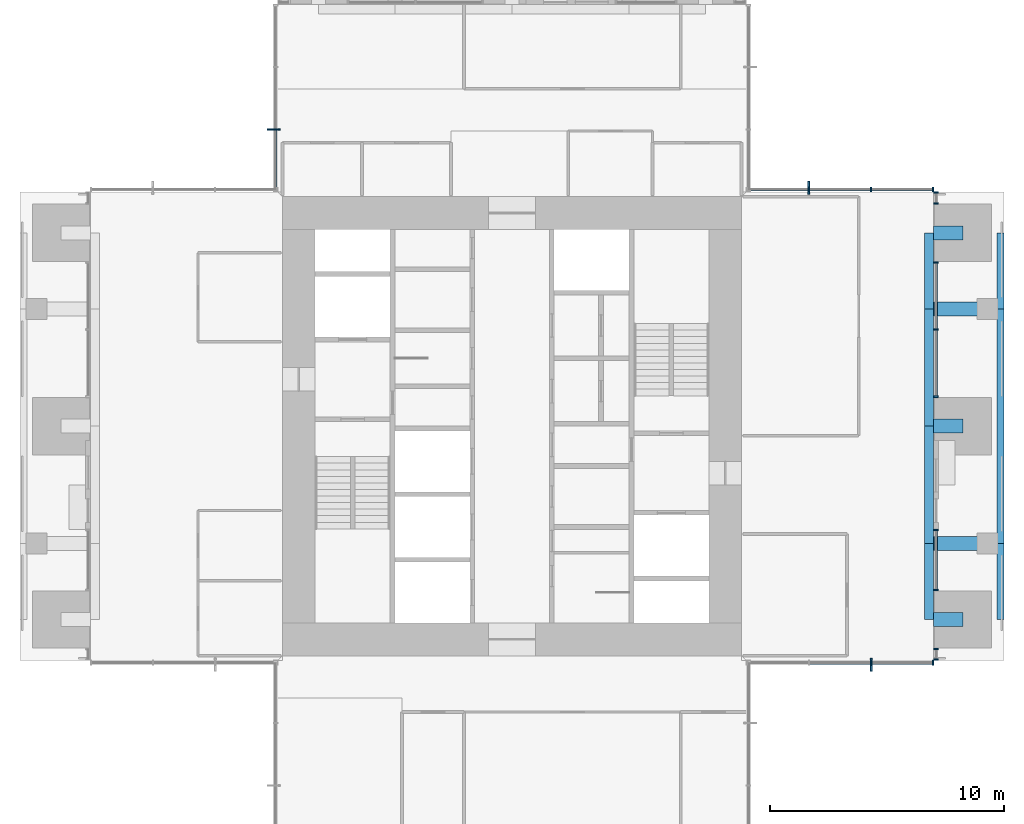
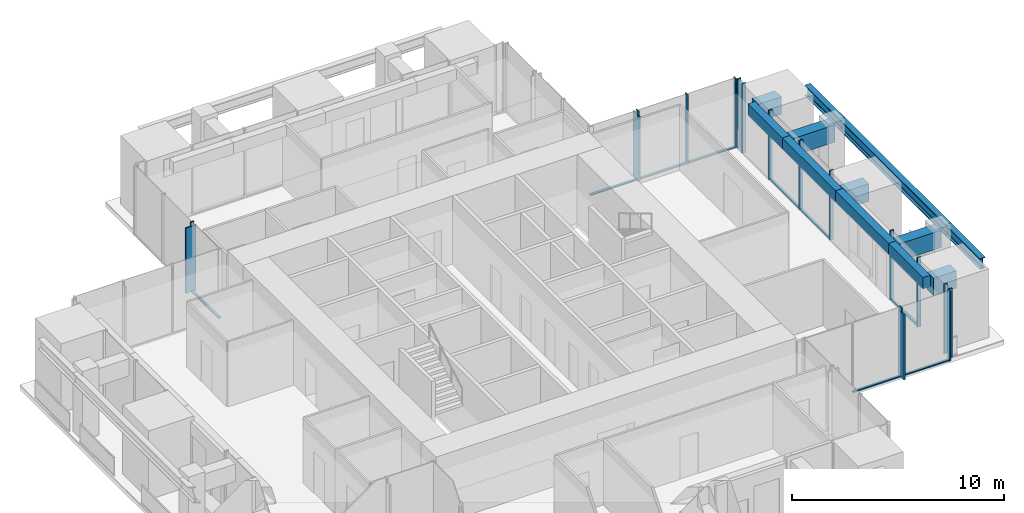
# One storey, part 4 of 17: 27 members, 12 beams, 7 elements without a shape of their own.
"""IFC4 building model written with IfcOpenShell, lengths in metres."""

from ifc_helpers import new_model, si_unit, direction, frame, origin, origin_2d, place, context, subcontext, project, spatial, rectangle, i_section, extrude, material, material_profile, profile_set, type_object, element, aggregate, save


model = new_model("IFC4")

# Units and contexts
model_context = context("Model", 3, precision=1e-05, world=origin(), true_north=direction((0.0, 1.0)))
body_context = subcontext(model_context, "Body", "Model", "MODEL_VIEW")
ifc_project = project(units=[si_unit("LENGTHUNIT", "METRE"), si_unit("AREAUNIT", "SQUARE_METRE"), si_unit("VOLUMEUNIT", "CUBIC_METRE"), si_unit("PLANEANGLEUNIT", "RADIAN"), si_unit("MASSUNIT", "GRAM", prefix="KILO")], contexts=[model_context])

# Site, building, storey
site_placement = place(None, origin())
site = spatial("IfcSite", under=ifc_project, at=site_placement, CompositionType="ELEMENT")
building_placement = place(site_placement, origin())
building = spatial("IfcBuilding", under=site, at=building_placement, Name="Svetlomir Tower", CompositionType="ELEMENT")
storey_placement = place(building_placement, frame((0.0, 0.0, 218.5)))
storey = spatial("IfcBuildingStorey", under=building, at=storey_placement, Name="L52", CompositionType="ELEMENT", Elevation=218.5)

# Curtain wall, member
ifc_material_1 = material(Name="Bronze anodised aluminium curtain wall", Category="aluminium")
curtain_wall_type = type_object("IfcCurtainWallType", Name="CURTAIN WALL CW1 TOWER OFFICE", PredefinedType="NOTDEFINED", material=ifc_material_1)
curtain_wall_1_placement = place(storey_placement, origin())
curtain_wall_1 = element("IfcCurtainWall", 1, at=curtain_wall_1_placement, inside=storey, type_object=curtain_wall_type, Name="Curtain wall CW1 L52", PredefinedType="NOTDEFINED")
ifc_material_2 = material(Name="Bronze anodised aluminium", Category="aluminium")
ifc_material_profile_1 = material_profile(ifc_material_2, rectangle(XDim=0.080078125, YDim=0.550048828125, at=origin_2d()), Name="FIN 80x550")
ifc_profile_set_1 = profile_set([ifc_material_profile_1], Name="Bronze anodised aluminium 6063-T6")
member_type_1 = type_object("IfcMemberType", Name="BRONZE FIN 80x550", PredefinedType="USERDEFINED", material=ifc_profile_set_1)
member_1_placement = place(storey_placement, frame((36.333251953125, 10.824951171875, 0.0), z_axis=(0.0, 0.0, 1.0), x_axis=(1.0, 0.0, 0.0)))
member_1 = element("IfcMember", 2, at=member_1_placement, type_object=member_type_1, Name="Bronze fin L52", ObjectType="FIN", PredefinedType="USERDEFINED", context=body_context, shape_type="SweptSolid", body=[
    extrude(rectangle(XDim=0.080078125, YDim=0.550048828125, at=origin_2d()), origin(), (0.0, 0.0, 1.0), 3.75),
])

curtain_wall_2_placement = place(storey_placement, origin())
curtain_wall_2 = element("IfcCurtainWall", 3, at=curtain_wall_2_placement, inside=storey, type_object=curtain_wall_type, Name="Curtain wall CW1 L52", PredefinedType="NOTDEFINED")
member_2_placement = place(storey_placement, frame((33.666748046875, 31.175048828125, 0.0), z_axis=(0.0, 0.0, 1.0), x_axis=(1.0, 0.0, 0.0)))
member_2 = element("IfcMember", 4, at=member_2_placement, type_object=member_type_1, Name="Bronze fin L52", ObjectType="FIN", PredefinedType="USERDEFINED", context=body_context, shape_type="SweptSolid", body=[
    extrude(rectangle(XDim=0.080078125, YDim=0.550048828125, at=origin_2d()), origin(), (0.0, 0.0, 1.0), 3.75),
])

curtain_wall_3_placement = place(storey_placement, origin())
curtain_wall_3 = element("IfcCurtainWall", 5, at=curtain_wall_3_placement, inside=storey, type_object=curtain_wall_type, Name="Curtain wall CW1 L52", PredefinedType="NOTDEFINED")
member_3_placement = place(storey_placement, frame((10.824951171875, 33.666748046875, 0.0), z_axis=(0.0, 0.0, 1.0), x_axis=(0.0, 1.0, 0.0)))
member_3 = element("IfcMember", 6, at=member_3_placement, type_object=member_type_1, Name="Bronze fin L52", ObjectType="FIN", PredefinedType="USERDEFINED", context=body_context, shape_type="SweptSolid", body=[
    extrude(rectangle(XDim=0.080078125, YDim=0.550048828125, at=origin_2d()), origin(), (0.0, 0.0, 1.0), 3.75),
])

# Member
ifc_material_3 = material(Name="Bronze anodised aluminium", Category="aluminium")
ifc_material_profile_2 = material_profile(ifc_material_3, rectangle(XDim=0.06494140625, YDim=0.199951171875, at=origin_2d()), Name="AL 65x200")
ifc_profile_set_2 = profile_set([ifc_material_profile_2], Name="Bronze anodised aluminium 6063-T6")
member_type_2 = type_object("IfcMemberType", Name="CW1 MULLION 65x200", PredefinedType="MULLION", material=ifc_profile_set_2)
member_4_placement = place(storey_placement, frame((36.333251953125, 10.89990234375, 0.0), z_axis=(0.0, 0.0, 1.0), x_axis=(1.0, 0.0, 0.0)))
member_4 = element("IfcMember", 7, at=member_4_placement, type_object=member_type_2, Name="CW1 mullion 3", PredefinedType="MULLION", context=body_context, shape_type="SweptSolid", body=[
    extrude(rectangle(XDim=0.06494140625, YDim=0.199951171875, at=origin_2d()), origin(), (0.0, 0.0, 1.0), 4.0),
])

member_5_placement = place(storey_placement, frame((38.967529296875, 10.89990234375, 0.0), z_axis=(0.0, 0.0, 1.0), x_axis=(1.0, 0.0, 0.0)))
member_5 = element("IfcMember", 8, at=member_5_placement, type_object=member_type_2, Name="CW1 mullion 4", PredefinedType="MULLION", context=body_context, shape_type="SweptSolid", body=[
    extrude(rectangle(XDim=0.06494140625, YDim=0.199951171875, at=origin_2d()), origin(), (0.0, 0.0, 1.0), 4.0),
])

# Curtain wall, members
curtain_wall_4_placement = place(storey_placement, origin())
curtain_wall_4 = element("IfcCurtainWall", 9, at=curtain_wall_4_placement, inside=storey, type_object=curtain_wall_type, Name="Curtain wall CW1 L52", PredefinedType="NOTDEFINED")
member_6_placement = place(storey_placement, frame((39.10009765625, 11.032470703125, 0.0), z_axis=(0.0, 0.0, 1.0), x_axis=(0.0, 1.0, 0.0)))
member_6 = element("IfcMember", 10, at=member_6_placement, type_object=member_type_2, Name="CW1 mullion 1", PredefinedType="MULLION", context=body_context, shape_type="SweptSolid", body=[
    extrude(rectangle(XDim=0.06494140625, YDim=0.199951171875, at=origin_2d()), origin(), (0.0, 0.0, 1.0), 4.0),
])
member_7_placement = place(storey_placement, frame((39.10009765625, 11.492431640625, 0.0), z_axis=(0.0, 0.0, 1.0), x_axis=(0.0, 1.0, 0.0)))
member_7 = element("IfcMember", 11, at=member_7_placement, type_object=member_type_2, Name="CW1 mullion 2", PredefinedType="MULLION", context=body_context, shape_type="SweptSolid", body=[
    extrude(rectangle(XDim=0.06494140625, YDim=0.199951171875, at=origin_2d()), origin(), (0.0, 0.0, 1.0), 4.0),
])
aggregate(curtain_wall_4, [member_6, member_7])

curtain_wall_5_placement = place(storey_placement, origin())
curtain_wall_5 = element("IfcCurtainWall", 12, at=curtain_wall_5_placement, inside=storey, type_object=curtain_wall_type, Name="Curtain wall CW1 L52", PredefinedType="NOTDEFINED")
member_8_placement = place(storey_placement, frame((39.10009765625, 14.007568359375, 0.0), z_axis=(0.0, 0.0, 1.0), x_axis=(0.0, 1.0, 0.0)))
member_8 = element("IfcMember", 13, at=member_8_placement, type_object=member_type_2, Name="CW1 mullion 1", PredefinedType="MULLION", context=body_context, shape_type="SweptSolid", body=[
    extrude(rectangle(XDim=0.06494140625, YDim=0.199951171875, at=origin_2d()), origin(), (0.0, 0.0, 1.0), 4.0),
])
member_9_placement = place(storey_placement, frame((39.10009765625, 16.5673828125, 0.0), z_axis=(0.0, 0.0, 1.0), x_axis=(0.0, 1.0, 0.0)))
member_9 = element("IfcMember", 14, at=member_9_placement, type_object=member_type_2, Name="CW1 mullion 2", PredefinedType="MULLION", context=body_context, shape_type="SweptSolid", body=[
    extrude(rectangle(XDim=0.06494140625, YDim=0.199951171875, at=origin_2d()), origin(), (0.0, 0.0, 1.0), 4.0),
])

curtain_wall_6_placement = place(storey_placement, origin())
curtain_wall_6 = element("IfcCurtainWall", 15, at=curtain_wall_6_placement, inside=storey, type_object=curtain_wall_type, Name="Curtain wall CW1 L52", PredefinedType="NOTDEFINED")
member_10_placement = place(storey_placement, frame((39.10009765625, 22.257568359375, 0.0), z_axis=(0.0, 0.0, 1.0), x_axis=(0.0, 1.0, 0.0)))
member_10 = element("IfcMember", 16, at=member_10_placement, type_object=member_type_2, Name="CW1 mullion 1", PredefinedType="MULLION", context=body_context, shape_type="SweptSolid", body=[
    extrude(rectangle(XDim=0.06494140625, YDim=0.199951171875, at=origin_2d()), origin(), (0.0, 0.0, 1.0), 4.0),
])
member_11_placement = place(storey_placement, frame((39.10009765625, 25.125, 0.0), z_axis=(0.0, 0.0, 1.0), x_axis=(0.0, 1.0, 0.0)))
member_11 = element("IfcMember", 17, at=member_11_placement, type_object=member_type_2, Name="CW1 mullion 2", PredefinedType="MULLION", context=body_context, shape_type="SweptSolid", body=[
    extrude(rectangle(XDim=0.06494140625, YDim=0.199951171875, at=origin_2d()), origin(), (0.0, 0.0, 1.0), 4.0),
])
member_12_placement = place(storey_placement, frame((39.10009765625, 27.992431640625, 0.0), z_axis=(0.0, 0.0, 1.0), x_axis=(0.0, 1.0, 0.0)))
member_12 = element("IfcMember", 18, at=member_12_placement, type_object=member_type_2, Name="CW1 mullion 3", PredefinedType="MULLION", context=body_context, shape_type="SweptSolid", body=[
    extrude(rectangle(XDim=0.06494140625, YDim=0.199951171875, at=origin_2d()), origin(), (0.0, 0.0, 1.0), 4.0),
])

curtain_wall_7_placement = place(storey_placement, origin())
curtain_wall_7 = element("IfcCurtainWall", 19, at=curtain_wall_7_placement, inside=storey, type_object=curtain_wall_type, Name="Curtain wall CW1 L52", PredefinedType="NOTDEFINED")
member_13_placement = place(storey_placement, frame((39.10009765625, 30.507568359375, 0.0), z_axis=(0.0, 0.0, 1.0), x_axis=(0.0, 1.0, 0.0)))
member_13 = element("IfcMember", 20, at=member_13_placement, type_object=member_type_2, Name="CW1 mullion 1", PredefinedType="MULLION", context=body_context, shape_type="SweptSolid", body=[
    extrude(rectangle(XDim=0.06494140625, YDim=0.199951171875, at=origin_2d()), origin(), (0.0, 0.0, 1.0), 4.0),
])
member_14_placement = place(storey_placement, frame((39.10009765625, 30.967529296875, 0.0), z_axis=(0.0, 0.0, 1.0), x_axis=(0.0, 1.0, 0.0)))
member_14 = element("IfcMember", 21, at=member_14_placement, type_object=member_type_2, Name="CW1 mullion 2", PredefinedType="MULLION", context=body_context, shape_type="SweptSolid", body=[
    extrude(rectangle(XDim=0.06494140625, YDim=0.199951171875, at=origin_2d()), origin(), (0.0, 0.0, 1.0), 4.0),
])
aggregate(curtain_wall_7, [member_13, member_14])

# Member
member_15_placement = place(storey_placement, frame((38.967529296875, 31.10009765625, 0.0), z_axis=(0.0, 0.0, 1.0), x_axis=(-1.0, 0.0, 0.0)))
member_15 = element("IfcMember", 22, at=member_15_placement, type_object=member_type_2, Name="CW1 mullion 1", PredefinedType="MULLION", context=body_context, shape_type="SweptSolid", body=[
    extrude(rectangle(XDim=0.06494140625, YDim=0.199951171875, at=origin_2d()), origin(), (0.0, 0.0, 1.0), 4.0),
])

member_16_placement = place(storey_placement, frame((36.333251953125, 31.10009765625, 0.0), z_axis=(0.0, 0.0, 1.0), x_axis=(-1.0, 0.0, 0.0)))
member_16 = element("IfcMember", 23, at=member_16_placement, type_object=member_type_2, Name="CW1 mullion 2", PredefinedType="MULLION", context=body_context, shape_type="SweptSolid", body=[
    extrude(rectangle(XDim=0.06494140625, YDim=0.199951171875, at=origin_2d()), origin(), (0.0, 0.0, 1.0), 4.0),
])

member_17_placement = place(storey_placement, frame((33.666748046875, 31.10009765625, 0.0), z_axis=(0.0, 0.0, 1.0), x_axis=(-1.0, 0.0, 0.0)))
member_17 = element("IfcMember", 24, at=member_17_placement, type_object=member_type_2, Name="CW1 mullion 3", PredefinedType="MULLION", context=body_context, shape_type="SweptSolid", body=[
    extrude(rectangle(XDim=0.06494140625, YDim=0.199951171875, at=origin_2d()), origin(), (0.0, 0.0, 1.0), 4.0),
])

member_18_placement = place(storey_placement, frame((10.89990234375, 33.666748046875, 0.0), z_axis=(0.0, 0.0, 1.0), x_axis=(0.0, -1.0, 0.0)))
member_18 = element("IfcMember", 25, at=member_18_placement, type_object=member_type_2, Name="CW1 mullion 3", PredefinedType="MULLION", context=body_context, shape_type="SweptSolid", body=[
    extrude(rectangle(XDim=0.06494140625, YDim=0.199951171875, at=origin_2d()), origin(), (0.0, 0.0, 1.0), 4.0),
])

ifc_material_4 = material(Name="Bronze anodised aluminium", Category="aluminium")
ifc_material_profile_3 = material_profile(ifc_material_4, rectangle(XDim=0.139892578125, YDim=0.06494140625, at=origin_2d()), Name="AL 140x65")
ifc_profile_set_3 = profile_set([ifc_material_profile_3], Name="Bronze anodised aluminium 6063-T6")
member_type_3 = type_object("IfcMemberType", Name="CW1 TRANSOM 65x140", PredefinedType="USERDEFINED", material=ifc_profile_set_3)
member_19_placement = place(storey_placement, frame((33.69921875, 10.89990234375, 0.032470703125), z_axis=(1.0, 0.0, 0.0), x_axis=(0.0, 1.0, 0.0)))
member_19 = element("IfcMember", 26, at=member_19_placement, type_object=member_type_3, Name="CW1 transom 2.1", ObjectType="TRANSOM", PredefinedType="USERDEFINED", context=body_context, shape_type="SweptSolid", body=[
    extrude(rectangle(XDim=0.139892578125, YDim=0.06494140625, at=origin_2d()), origin(), (0.0, 0.0, 1.0), 2.6015625),
])

member_20_placement = place(storey_placement, frame((36.36572265625, 10.89990234375, 0.032470703125), z_axis=(1.0, 0.0, 0.0), x_axis=(0.0, 1.0, 0.0)))
member_20 = element("IfcMember", 27, at=member_20_placement, type_object=member_type_3, Name="CW1 transom 3.1", ObjectType="TRANSOM", PredefinedType="USERDEFINED", context=body_context, shape_type="SweptSolid", body=[
    extrude(rectangle(XDim=0.139892578125, YDim=0.06494140625, at=origin_2d()), origin(), (0.0, 0.0, 1.0), 2.5693359375),
])

aggregate(curtain_wall_1, [member_4, member_5, member_19, member_20, member_1])

member_21_placement = place(storey_placement, frame((39.10009765625, 14.0400390625, 0.032470703125), z_axis=(0.0, 1.0, 0.0), x_axis=(-1.0, 0.0, 0.0)))
member_21 = element("IfcMember", 28, at=member_21_placement, type_object=member_type_3, Name="CW1 transom 1.1", ObjectType="TRANSOM", PredefinedType="USERDEFINED", context=body_context, shape_type="SweptSolid", body=[
    extrude(rectangle(XDim=0.139892578125, YDim=0.06494140625, at=origin_2d()), origin(), (0.0, 0.0, 1.0), 2.494873046875),
])

aggregate(curtain_wall_5, [member_8, member_9, member_21])

member_22_placement = place(storey_placement, frame((39.10009765625, 22.2900390625, 0.032470703125), z_axis=(0.0, 1.0, 0.0), x_axis=(-1.0, 0.0, 0.0)))
member_22 = element("IfcMember", 29, at=member_22_placement, type_object=member_type_3, Name="CW1 transom 1.1", ObjectType="TRANSOM", PredefinedType="USERDEFINED", context=body_context, shape_type="SweptSolid", body=[
    extrude(rectangle(XDim=0.139892578125, YDim=0.06494140625, at=origin_2d()), origin(), (0.0, 0.0, 1.0), 2.802490234375),
])

member_23_placement = place(storey_placement, frame((39.10009765625, 25.157470703125, 0.032470703125), z_axis=(0.0, 1.0, 0.0), x_axis=(-1.0, 0.0, 0.0)))
member_23 = element("IfcMember", 30, at=member_23_placement, type_object=member_type_3, Name="CW1 transom 2.1", ObjectType="TRANSOM", PredefinedType="USERDEFINED", context=body_context, shape_type="SweptSolid", body=[
    extrude(rectangle(XDim=0.139892578125, YDim=0.06494140625, at=origin_2d()), origin(), (0.0, 0.0, 1.0), 2.802490234375),
])

aggregate(curtain_wall_6, [member_10, member_11, member_12, member_22, member_23])

member_24_placement = place(storey_placement, frame((38.93505859375, 31.10009765625, 0.032470703125), z_axis=(-1.0, 0.0, 0.0), x_axis=(0.0, -1.0, 0.0)))
member_24 = element("IfcMember", 31, at=member_24_placement, type_object=member_type_3, Name="CW1 transom 1.1", ObjectType="TRANSOM", PredefinedType="USERDEFINED", context=body_context, shape_type="SweptSolid", body=[
    extrude(rectangle(XDim=0.139892578125, YDim=0.06494140625, at=origin_2d()), origin(), (0.0, 0.0, 1.0), 2.5693359375),
])

member_25_placement = place(storey_placement, frame((36.30078125, 31.10009765625, 0.032470703125), z_axis=(-1.0, 0.0, 0.0), x_axis=(0.0, -1.0, 0.0)))
member_25 = element("IfcMember", 32, at=member_25_placement, type_object=member_type_3, Name="CW1 transom 2.1", ObjectType="TRANSOM", PredefinedType="USERDEFINED", context=body_context, shape_type="SweptSolid", body=[
    extrude(rectangle(XDim=0.139892578125, YDim=0.06494140625, at=origin_2d()), origin(), (0.0, 0.0, 1.0), 2.6015625),
])

member_26_placement = place(storey_placement, frame((33.63427734375, 31.10009765625, 0.032470703125), z_axis=(-1.0, 0.0, 0.0), x_axis=(0.0, -1.0, 0.0)))
member_26 = element("IfcMember", 33, at=member_26_placement, type_object=member_type_3, Name="CW1 transom 3.1", ObjectType="TRANSOM", PredefinedType="USERDEFINED", context=body_context, shape_type="SweptSolid", body=[
    extrude(rectangle(XDim=0.139892578125, YDim=0.06494140625, at=origin_2d()), origin(), (0.0, 0.0, 1.0), 2.5693359375),
])

aggregate(curtain_wall_2, [member_15, member_16, member_17, member_24, member_25, member_26, member_2])

member_27_placement = place(storey_placement, frame((10.89990234375, 33.63427734375, 0.032470703125), z_axis=(0.0, -1.0, 0.0), x_axis=(1.0, 0.0, 0.0)))
member_27 = element("IfcMember", 34, at=member_27_placement, type_object=member_type_3, Name="CW1 transom 3.1", ObjectType="TRANSOM", PredefinedType="USERDEFINED", context=body_context, shape_type="SweptSolid", body=[
    extrude(rectangle(XDim=0.139892578125, YDim=0.06494140625, at=origin_2d()), origin(), (0.0, 0.0, 1.0), 2.5693359375),
])

aggregate(curtain_wall_3, [member_18, member_27, member_3])

# Beams
ifc_material_5 = material(Name="Steel S355", Category="steel")
ifc_material_profile_4 = material_profile(ifc_material_5, i_section(OverallWidth=0.304931640625, OverallDepth=0.6201171875, WebThickness=0.02099609375, FlangeThickness=0.0400390625, FilletRadius=0.027099609375, at=origin_2d()), Name="HEM 600")
ifc_profile_set_4 = profile_set([ifc_material_profile_4], Name="Steel S355")
beam_type_1 = type_object("IfcBeamType", Name="EDGE BEAM HEM 600", PredefinedType="SPANDREL", material=ifc_profile_set_4)
beam_1_placement = place(storey_placement, frame((41.847412109375, 12.75, 3.43994140625), z_axis=(0.0, 1.0, 0.0), x_axis=(-1.0, 0.0, 0.0)))
element("IfcBeam", 35, at=beam_1_placement, inside=storey, type_object=beam_type_1, Name="Edge beam 42/11 to 42/16 under L53", PredefinedType="SPANDREL", context=body_context, shape_type="SweptSolid", body=[
    extrude(i_section(OverallWidth=0.304931640625, OverallDepth=0.6201171875, WebThickness=0.02099609375, FlangeThickness=0.0400390625, FilletRadius=0.027099609375, at=origin_2d()), origin(), (0.0, 0.0, 1.0), 3.25),
])
beam_2_placement = place(storey_placement, frame((41.847412109375, 16.0, 3.43994140625), z_axis=(0.0, 1.0, 0.0), x_axis=(-1.0, 0.0, 0.0)))
element("IfcBeam", 36, at=beam_2_placement, inside=storey, type_object=beam_type_1, Name="Edge beam 42/16 to 42/26 under L53", PredefinedType="SPANDREL", context=body_context, shape_type="SweptSolid", body=[
    extrude(i_section(OverallWidth=0.304931640625, OverallDepth=0.6201171875, WebThickness=0.02099609375, FlangeThickness=0.0400390625, FilletRadius=0.027099609375, at=origin_2d()), origin(), (0.0, 0.0, 1.0), 10.0),
])
beam_3_placement = place(storey_placement, frame((41.847412109375, 26.0, 3.43994140625), z_axis=(0.0, 1.0, 0.0), x_axis=(-1.0, 0.0, 0.0)))
element("IfcBeam", 37, at=beam_3_placement, inside=storey, type_object=beam_type_1, Name="Edge beam 42/26 to 42/31 under L53", PredefinedType="SPANDREL", context=body_context, shape_type="SweptSolid", body=[
    extrude(i_section(OverallWidth=0.304931640625, OverallDepth=0.6201171875, WebThickness=0.02099609375, FlangeThickness=0.0400390625, FilletRadius=0.027099609375, at=origin_2d()), origin(), (0.0, 0.0, 1.0), 3.25),
])
ifc_material_6 = material(Name="Concrete C60/75", Category="concrete")
ifc_material_profile_5 = material_profile(ifc_material_6, rectangle(XDim=0.39990234375, YDim=0.64990234375, at=origin_2d()), Name="RC 400x650")
ifc_profile_set_5 = profile_set([ifc_material_profile_5], Name="Concrete C60/75")
beam_type_2 = type_object("IfcBeamType", Name="FACADE EDGE BEAM RC 400x650", PredefinedType="BEAM", material=ifc_profile_set_5)
beam_4_placement = place(storey_placement, frame((38.800048828125, 12.75, 3.425048828125), z_axis=(0.0, 1.0, 0.0), x_axis=(-1.0, 0.0, 0.0)))
element("IfcBeam", 38, at=beam_4_placement, inside=storey, type_object=beam_type_2, Name="Facade edge beam E 11 to 16 under L53", PredefinedType="BEAM", context=body_context, shape_type="SweptSolid", body=[
    extrude(rectangle(XDim=0.39990234375, YDim=0.64990234375, at=origin_2d()), origin(), (0.0, 0.0, 1.0), 3.25),
])
for number, where, z_axis, x_axis, name in (
    (39, (38.800048828125, 16.0, 3.425048828125), (0.0, 1.0, 0.0), (-1.0, 0.0, 0.0), "Facade edge beam E 16 to 21 under L53"),
    (40, (38.800048828125, 21.0, 3.425048828125), (0.0, 1.0, 0.0), (-1.0, 0.0, 0.0), "Facade edge beam E 21 to 26 under L53"),
):
    element("IfcBeam", number, at=place(storey_placement, frame(where, z_axis=z_axis, x_axis=x_axis)), inside=storey, type_object=beam_type_2, Name=name, PredefinedType="BEAM", context=body_context, shape_type="SweptSolid", body=[
        extrude(rectangle(XDim=0.39990234375, YDim=0.64990234375, at=origin_2d()), origin(), (0.0, 0.0, 1.0), 5.0),
    ])
beam_5_placement = place(storey_placement, frame((38.800048828125, 26.0, 3.425048828125), z_axis=(0.0, 1.0, 0.0), x_axis=(-1.0, 0.0, 0.0)))
element("IfcBeam", 41, at=beam_5_placement, inside=storey, type_object=beam_type_2, Name="Facade edge beam E 26 to 31 under L53", PredefinedType="BEAM", context=body_context, shape_type="SweptSolid", body=[
    extrude(rectangle(XDim=0.39990234375, YDim=0.64990234375, at=origin_2d()), origin(), (0.0, 0.0, 1.0), 3.25),
])
ifc_material_7 = material(Name="Concrete C60/75", Category="concrete")
ifc_material_profile_6 = material_profile(ifc_material_7, rectangle(XDim=0.60009765625, YDim=1.0, at=origin_2d()), Name="RC 600x1000")
ifc_profile_set_6 = profile_set([ifc_material_profile_6], Name="Concrete C60/75")
beam_type_3 = type_object("IfcBeamType", Name="LOGGIA LINK BEAM RC 600x1000", PredefinedType="BEAM", material=ifc_profile_set_6)
beam_6_placement = place(storey_placement, frame((40.25, 12.75, 3.25), z_axis=(-1.0, 0.0, 0.0), x_axis=(0.0, -1.0, 0.0)))
element("IfcBeam", 42, at=beam_6_placement, inside=storey, type_object=beam_type_3, Name="Loggia link beam E 11 under L53", PredefinedType="BEAM", context=body_context, shape_type="SweptSolid", body=[
    extrude(rectangle(XDim=0.60009765625, YDim=1.0, at=origin_2d()), origin(), (0.0, 0.0, 1.0), 1.25),
])
beam_7_placement = place(storey_placement, frame((41.300048828125, 16.0, 3.25), z_axis=(-1.0, 0.0, 0.0), x_axis=(0.0, -1.0, 0.0)))
element("IfcBeam", 43, at=beam_7_placement, inside=storey, type_object=beam_type_3, Name="Loggia link beam E 16 under L53", PredefinedType="BEAM", context=body_context, shape_type="SweptSolid", body=[
    extrude(rectangle(XDim=0.60009765625, YDim=1.0, at=origin_2d()), origin(), (0.0, 0.0, 1.0), 2.300048828125),
])
beam_8_placement = place(storey_placement, frame((40.25, 21.0, 3.25), z_axis=(-1.0, 0.0, 0.0), x_axis=(0.0, -1.0, 0.0)))
element("IfcBeam", 44, at=beam_8_placement, inside=storey, type_object=beam_type_3, Name="Loggia link beam E 21 under L53", PredefinedType="BEAM", context=body_context, shape_type="SweptSolid", body=[
    extrude(rectangle(XDim=0.60009765625, YDim=1.0, at=origin_2d()), origin(), (0.0, 0.0, 1.0), 1.25),
])
beam_9_placement = place(storey_placement, frame((41.300048828125, 26.0, 3.25), z_axis=(-1.0, 0.0, 0.0), x_axis=(0.0, -1.0, 0.0)))
element("IfcBeam", 45, at=beam_9_placement, inside=storey, type_object=beam_type_3, Name="Loggia link beam E 26 under L53", PredefinedType="BEAM", context=body_context, shape_type="SweptSolid", body=[
    extrude(rectangle(XDim=0.60009765625, YDim=1.0, at=origin_2d()), origin(), (0.0, 0.0, 1.0), 2.300048828125),
])
beam_10_placement = place(storey_placement, frame((40.25, 29.25, 3.25), z_axis=(-1.0, 0.0, 0.0), x_axis=(0.0, -1.0, 0.0)))
element("IfcBeam", 46, at=beam_10_placement, inside=storey, type_object=beam_type_3, Name="Loggia link beam E 31 under L53", PredefinedType="BEAM", context=body_context, shape_type="SweptSolid", body=[
    extrude(rectangle(XDim=0.60009765625, YDim=1.0, at=origin_2d()), origin(), (0.0, 0.0, 1.0), 1.25),
])

save(model, "model.ifc")
